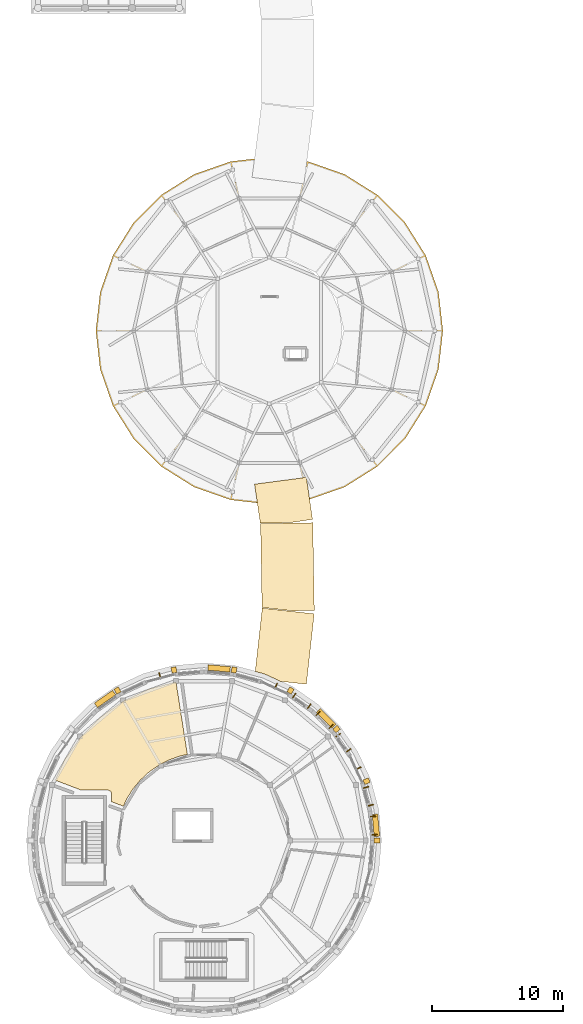
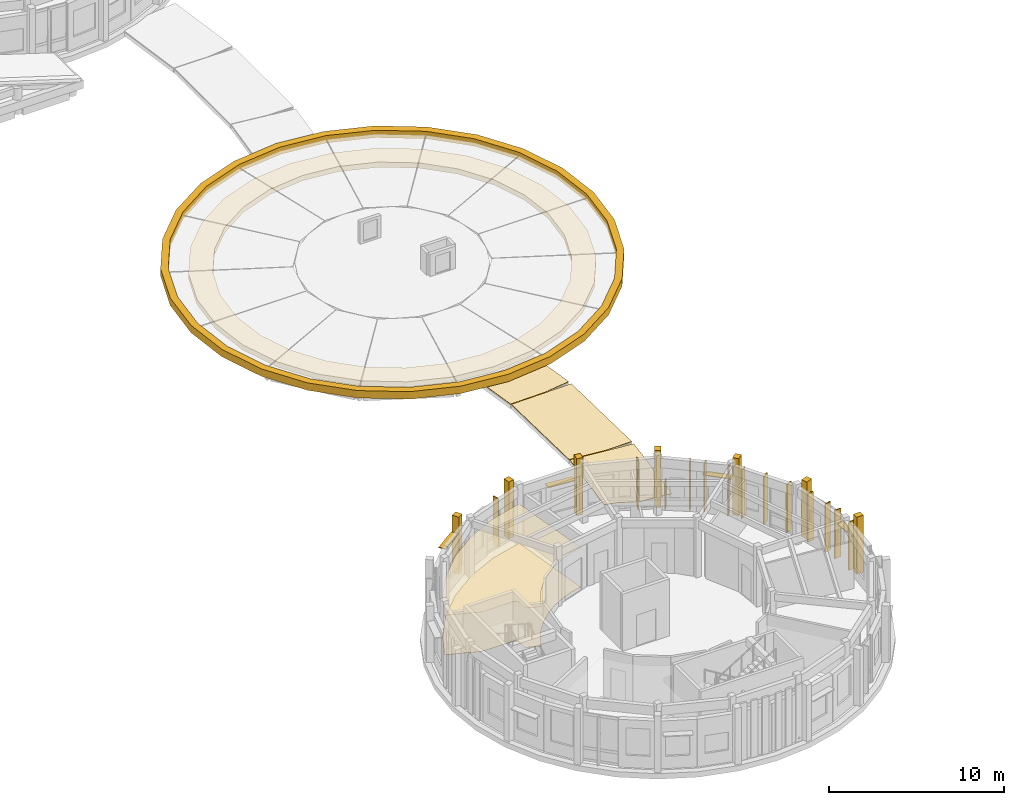
# One storey, part 51 of 58: 17 shading devices, 14 coverings.
"""IFC4 building model written with IfcOpenShell, lengths in metres."""

from ifc_helpers import new_model, si_unit, direction, frame, origin, origin_2d, place, context, subcontext, project, spatial, polyline, rectangle, outline, extrude, material, layer, layer_set, type_object, element, save


model = new_model("IFC4")

# Units and contexts
model_context = context("Model", 3, precision=1e-05, world=origin(), true_north=direction((0.0, 1.0)))
body_context = subcontext(model_context, "Body", "Model", "MODEL_VIEW")
ifc_project = project(units=[si_unit("LENGTHUNIT", "METRE"), si_unit("AREAUNIT", "SQUARE_METRE"), si_unit("VOLUMEUNIT", "CUBIC_METRE"), si_unit("PLANEANGLEUNIT", "RADIAN"), si_unit("MASSUNIT", "GRAM", prefix="KILO")], contexts=[model_context])

# Site, building, storey
site_placement = place(None, origin())
site = spatial("IfcSite", under=ifc_project, at=site_placement, CompositionType="ELEMENT")
building_placement = place(site_placement, origin())
building = spatial("IfcBuilding", under=site, at=building_placement, Name="Aldenvaro Health Centre", CompositionType="ELEMENT")
storey_placement = place(building_placement, frame((0.0, 0.0, 8.75)))
storey = spatial("IfcBuildingStorey", under=building, at=storey_placement, Name="L02", CompositionType="ELEMENT", Elevation=8.75)

# Coverings
ifc_material_1 = material(Name="Antimicrobial Mineral Fibre Ceiling")
ifc_layer_1 = layer(ifc_material_1, 0.01806640625, Name="Antimicrobial Mineral Fibre Ceiling")
ifc_layer_set_1 = layer_set([ifc_layer_1], Name="Antimicrobial Mineral Fibre Ceiling")
covering_type_1 = type_object("IfcCoveringType", Name="COV-CLG-ACT18", PredefinedType="CEILING", material=ifc_layer_set_1)
covering_1_placement = place(storey_placement, frame((0.0, 0.0, 2.75)))
element("IfcCovering", 1, at=covering_1_placement, inside=storey, type_object=covering_type_1, Name="D5-L02-R01 Suspended Ceiling", PredefinedType="CEILING", context=body_context, shape_type="SweptSolid", body=[
    extrude(outline(polyline([(16.35693359375, 30.631103515625), (17.22705078125, 25.076904296875), (16.617919921875, 24.93994140625), (16.587890625, 24.930908203125), (15.791015625, 24.637939453125), (15.761962890625, 24.625), (15.010009765625, 24.23095703125), (14.98291015625, 24.214111328125), (14.2900390625, 23.72412109375), (14.264892578125, 23.7041015625), (13.64208984375, 23.1279296875), (13.6201171875, 23.10498046875), (13.077880859375, 22.451904296875), (13.05908203125, 22.426025390625), (12.60693359375, 21.7080078125), (12.592041015625, 21.679931640625), (12.3310546875, 21.112060546875), (11.43994140625, 21.452880859375), (11.43994140625, 22.02001953125), (11.43994140625, 22.031982421875), (11.43896484375, 22.0400390625), (11.43701171875, 22.06298828125), (11.43603515625, 22.071044921875), (11.430908203125, 22.093994140625), (11.428955078125, 22.10205078125), (11.423095703125, 22.1240234375), (11.419921875, 22.131103515625), (11.410888671875, 22.153076171875), (11.407958984375, 22.159912109375), (11.39599609375, 22.180908203125), (11.39208984375, 22.18798828125), (11.37890625, 22.20703125), (11.375, 22.214111328125), (11.360107421875, 22.23193359375), (11.35400390625, 22.238037109375), (11.337890625, 22.25390625), (11.33203125, 22.260009765625), (11.31396484375, 22.27490234375), (11.306884765625, 22.279052734375), (11.2880859375, 22.2919921875), (11.281005859375, 22.2958984375), (11.260009765625, 22.30810546875), (11.2529296875, 22.31103515625), (11.23095703125, 22.320068359375), (11.22412109375, 22.322998046875), (11.201904296875, 22.3291015625), (11.194091796875, 22.3310546875), (11.1708984375, 22.3359375), (11.1630859375, 22.3369140625), (11.139892578125, 22.339111328125), (11.132080078125, 22.340087890625), (11.1201171875, 22.340087890625), (9.116943359375, 22.340087890625), (7.10791015625, 23.10693359375), (7.8310546875, 24.658935546875), (9.06298828125, 26.4189453125), (10.5810546875, 27.93701171875), (12.341064453125, 29.1689453125), (14.287109375, 30.075927734375), (16.35693359375, 30.631103515625)])), origin(), (0.0, 0.0, 1.0), 0.01806640625),
])
ifc_material_2 = material(Name="Honed Sonoran Buff Limestone", Category="masonry")
ifc_layer_2 = layer(ifc_material_2, 0.280029296875, Name="Honed Sonoran Buff Limestone", Category="masonry")
ifc_layer_set_2 = layer_set([ifc_layer_2], Name="Honed Sonoran Buff Limestone")
covering_type_2 = type_object("IfcCoveringType", Name="COV-CRN-STN", PredefinedType="CLADDING", material=ifc_layer_set_2)
covering_2_placement = place(storey_placement, frame((0.0, 0.0, 0.260009765625)))
element("IfcCovering", 2, at=covering_2_placement, inside=storey, type_object=covering_type_2, Name="D3 Classical Roof Entablature Frieze 1", PredefinedType="CLADDING", context=body_context, shape_type="SweptSolid", body=[
    extrude(outline(polyline([(35.179931640625, 57.5), (34.886962890625, 60.09912109375), (34.02294921875, 62.568115234375), (32.632080078125, 64.781982421875), (30.781982421875, 66.632080078125), (28.568115234375, 68.02294921875), (26.09912109375, 68.886962890625), (23.5, 69.179931640625), (20.90087890625, 68.886962890625), (18.431884765625, 68.02294921875), (16.218017578125, 66.632080078125), (14.367919921875, 64.781982421875), (12.97705078125, 62.568115234375), (12.113037109375, 60.09912109375), (11.820068359375, 57.5), (12.113037109375, 54.90087890625), (12.97705078125, 52.431884765625), (14.367919921875, 50.218017578125), (16.218017578125, 48.367919921875), (18.431884765625, 46.97705078125), (20.90087890625, 46.113037109375), (23.5, 45.820068359375), (26.09912109375, 46.113037109375), (28.568115234375, 46.97705078125), (30.781982421875, 48.367919921875), (32.632080078125, 50.218017578125), (34.02294921875, 52.431884765625), (34.886962890625, 54.90087890625), (35.179931640625, 57.5)]), holes=[polyline([(33.780029296875, 57.5), (33.52197265625, 55.2119140625), (32.761962890625, 53.0400390625), (31.537109375, 51.091064453125), (29.908935546875, 49.462890625), (27.9599609375, 48.238037109375), (25.7880859375, 47.47802734375), (23.5, 47.219970703125), (21.2119140625, 47.47802734375), (19.0400390625, 48.238037109375), (17.091064453125, 49.462890625), (15.462890625, 51.091064453125), (14.238037109375, 53.0400390625), (13.47802734375, 55.2119140625), (13.219970703125, 57.5), (13.47802734375, 59.7880859375), (14.238037109375, 61.9599609375), (15.462890625, 63.908935546875), (17.091064453125, 65.537109375), (19.0400390625, 66.761962890625), (21.2119140625, 67.52197265625), (23.5, 67.780029296875), (25.7880859375, 67.52197265625), (27.9599609375, 66.761962890625), (29.908935546875, 65.537109375), (31.537109375, 63.908935546875), (32.761962890625, 61.9599609375), (33.52197265625, 59.7880859375), (33.780029296875, 57.5)])]), origin(), (0.0, 0.0, 1.0), 0.364990234375),
])
for number, where, z_axis, x_axis, name in (
    (3, (31.739990234375, 18.5, 0.00048828125), (0.0, 0.0, 1.0), (1.0, 0.0, 0.0), "D5 L02 Engaged Classical Limestone Pilaster 01"),
    (4, (11.8798828125, 29.966064453125, 0.00048828125), (0.0, 0.0, 1.0), (-0.499990860177, 0.8660306806, 0.0), "D5 L02 Engaged Classical Limestone Pilaster 13"),
    (5, (16.200927734375, 31.5390625, 0.00048828125), (0.0, 0.0, 1.0), (-0.173643819888, 0.984808521396, 0.0), "D5 L02 Engaged Classical Limestone Pilaster 14"),
    (6, (20.799072265625, 31.5390625, 0.00048828125), (0.0, 0.0, 1.0), (0.173643819888, 0.984808521396, 0.0), "D5 L02 Engaged Classical Limestone Pilaster 15"),
    (7, (25.1201171875, 29.966064453125, 0.00048828125), (0.0, 0.0, 1.0), (0.499990860177, 0.8660306806, 0.0), "D5 L02 Engaged Classical Limestone Pilaster 16"),
    (8, (28.64208984375, 27.010986328125, 0.00048828125), (0.0, 0.0, 1.0), (0.76604377724, 0.642788403249, 0.0), "D5 L02 Engaged Classical Limestone Pilaster 17"),
    (9, (30.94189453125, 23.028076171875, 0.00048828125), (0.0, 0.0, 1.0), (0.939693796234, 0.34201691379, 0.0), "D5 L02 Engaged Classical Limestone Pilaster 18"),
):
    element("IfcCovering", number, at=place(storey_placement, frame(where, z_axis=z_axis, x_axis=x_axis)), inside=storey, type_object=covering_type_2, Name=name, PredefinedType="CLADDING", context=body_context, shape_type="SweptSolid", body=[
        extrude(rectangle(XDim=0.43994140625, YDim=0.3798828125, at=origin_2d()), origin(), (0.0, 0.0, 1.0), 3.97509765625),
    ])
covering_3_placement = place(storey_placement, frame((0.0, 0.0, 0.5400390625)))
element("IfcCovering", 10, at=covering_3_placement, inside=storey, type_object=covering_type_2, Name="D3 Classical Overhanging Corona and Attic Ring", PredefinedType="CLADDING", context=body_context, shape_type="SweptSolid", body=[
    extrude(outline(polyline([(36.780029296875, 57.5), (36.447021484375, 60.455078125), (35.465087890625, 63.261962890625), (33.883056640625, 65.780029296875), (31.780029296875, 67.883056640625), (29.261962890625, 69.465087890625), (26.455078125, 70.447021484375), (23.5, 70.780029296875), (20.544921875, 70.447021484375), (17.738037109375, 69.465087890625), (15.219970703125, 67.883056640625), (13.116943359375, 65.780029296875), (11.534912109375, 63.261962890625), (10.552978515625, 60.455078125), (10.219970703125, 57.5), (10.552978515625, 54.544921875), (11.534912109375, 51.738037109375), (13.116943359375, 49.219970703125), (15.219970703125, 47.116943359375), (17.738037109375, 45.534912109375), (20.544921875, 44.552978515625), (23.5, 44.219970703125), (26.455078125, 44.552978515625), (29.261962890625, 45.534912109375), (31.780029296875, 47.116943359375), (33.883056640625, 49.219970703125), (35.465087890625, 51.738037109375), (36.447021484375, 54.544921875), (36.780029296875, 57.5)]), holes=[polyline([(36.340087890625, 57.5), (36.01806640625, 54.64306640625), (35.068115234375, 51.928955078125), (33.5390625, 49.493896484375), (31.506103515625, 47.4609375), (29.071044921875, 45.931884765625), (26.35693359375, 44.98193359375), (23.5, 44.659912109375), (20.64306640625, 44.98193359375), (17.928955078125, 45.931884765625), (15.493896484375, 47.4609375), (13.4609375, 49.493896484375), (11.931884765625, 51.928955078125), (10.98193359375, 54.64306640625), (10.659912109375, 57.5), (10.98193359375, 60.35693359375), (11.931884765625, 63.071044921875), (13.4609375, 65.506103515625), (15.493896484375, 67.5390625), (17.928955078125, 69.068115234375), (20.64306640625, 70.01806640625), (23.5, 70.340087890625), (26.35693359375, 70.01806640625), (29.071044921875, 69.068115234375), (31.506103515625, 67.5390625), (33.5390625, 65.506103515625), (35.068115234375, 63.071044921875), (36.01806640625, 60.35693359375), (36.340087890625, 57.5)])]), origin(), (0.0, 0.0, 1.0), 0.514892578125),
])
ifc_material_3 = material(Name="Seamless Homogeneous Sheet Vinyl")
ifc_layer_3 = layer(ifc_material_3, 0.013916015625, Name="Seamless Homogeneous Sheet Vinyl")
ifc_layer_set_3 = layer_set([ifc_layer_3], Name="Seamless Homogeneous Sheet Vinyl")
covering_type_3 = type_object("IfcCoveringType", Name="COV-FLR-VNL14", PredefinedType="FLOORING", material=ifc_layer_set_3)
covering_4_placement = place(storey_placement, origin())
element("IfcCovering", 11, at=covering_4_placement, inside=storey, type_object=covering_type_3, Name="D5-L02-R01 Flooring", PredefinedType="FLOORING", context=body_context, shape_type="SweptSolid", body=[
    extrude(outline(polyline([(16.35693359375, 30.631103515625), (17.22705078125, 25.076904296875), (16.617919921875, 24.93994140625), (16.587890625, 24.930908203125), (15.791015625, 24.637939453125), (15.761962890625, 24.625), (15.010009765625, 24.23095703125), (14.98291015625, 24.214111328125), (14.2900390625, 23.72412109375), (14.264892578125, 23.7041015625), (13.64208984375, 23.1279296875), (13.6201171875, 23.10498046875), (13.077880859375, 22.451904296875), (13.05908203125, 22.426025390625), (12.60693359375, 21.7080078125), (12.592041015625, 21.679931640625), (12.3310546875, 21.112060546875), (11.43994140625, 21.452880859375), (11.43994140625, 22.02001953125), (11.43994140625, 22.031982421875), (11.43896484375, 22.0400390625), (11.43701171875, 22.06298828125), (11.43603515625, 22.071044921875), (11.430908203125, 22.093994140625), (11.428955078125, 22.10205078125), (11.423095703125, 22.1240234375), (11.419921875, 22.131103515625), (11.410888671875, 22.153076171875), (11.407958984375, 22.159912109375), (11.39599609375, 22.180908203125), (11.39208984375, 22.18798828125), (11.37890625, 22.20703125), (11.375, 22.214111328125), (11.360107421875, 22.23193359375), (11.35400390625, 22.238037109375), (11.337890625, 22.25390625), (11.33203125, 22.260009765625), (11.31396484375, 22.27490234375), (11.306884765625, 22.279052734375), (11.2880859375, 22.2919921875), (11.281005859375, 22.2958984375), (11.260009765625, 22.30810546875), (11.2529296875, 22.31103515625), (11.23095703125, 22.320068359375), (11.22412109375, 22.322998046875), (11.201904296875, 22.3291015625), (11.194091796875, 22.3310546875), (11.1708984375, 22.3359375), (11.1630859375, 22.3369140625), (11.139892578125, 22.339111328125), (11.132080078125, 22.340087890625), (11.1201171875, 22.340087890625), (9.116943359375, 22.340087890625), (7.10791015625, 23.10693359375), (7.8310546875, 24.658935546875), (9.06298828125, 26.4189453125), (10.5810546875, 27.93701171875), (12.341064453125, 29.1689453125), (14.287109375, 30.075927734375), (16.35693359375, 30.631103515625)])), origin(), (0.0, 0.0, 1.0), 0.013916015625),
])
ifc_material_4 = material(Name="TPO Reflective Cool Roof Membrane")
ifc_layer_4 = layer(ifc_material_4, 0.030029296875, Name="TPO Reflective Cool Roof Membrane")
ifc_layer_set_4 = layer_set([ifc_layer_4], Name="TPO Reflective Cool Roof Membrane")
covering_type_4 = type_object("IfcCoveringType", Name="COV-RF-MEM", PredefinedType="ROOFING", material=ifc_layer_set_4)
covering_5_placement = place(storey_placement, frame((0.0, 0.0, 0.06005859375)))
element("IfcCovering", 12, at=covering_5_placement, inside=storey, type_object=covering_type_4, Name="West South Curved Garden Walkway Arc 1 flat roof Cool Limestone Ballast Membrane", PredefinedType="ROOFING", context=body_context, shape_type="SweptSolid", body=[
    extrude(outline(polyline([(22.955078125, 36.278076171875), (26.930908203125, 35.8359375), (26.3330078125, 30.447998046875), (24.344970703125, 30.6689453125), (23.134033203125, 31.23291015625), (22.416015625, 31.425048828125), (22.955078125, 36.278076171875)])), origin(), (0.0, 0.0, 1.0), 0.030029296875),
])
covering_6_placement = place(storey_placement, frame((0.0, 0.0, 0.06005859375)))
element("IfcCovering", 13, at=covering_6_placement, inside=storey, type_object=covering_type_4, Name="West South Curved Garden Walkway Arc 2 flat roof Cool Limestone Ballast Membrane", PredefinedType="ROOFING", context=body_context, shape_type="SweptSolid", body=[
    extrude(outline(polyline([(22.825927734375, 42.736083984375), (26.825927734375, 42.805908203125), (26.943115234375, 36.092041015625), (25.256103515625, 36.06201171875), (22.93798828125, 36.320068359375), (22.825927734375, 42.736083984375)])), origin(), (0.0, 0.0, 1.0), 0.030029296875),
])
covering_7_placement = place(storey_placement, frame((0.0, 0.0, 0.06005859375)))
element("IfcCovering", 14, at=covering_7_placement, inside=storey, type_object=covering_type_4, Name="West South Curved Garden Walkway Arc 3 flat roof Cool Limestone Ballast Membrane", PredefinedType="ROOFING", context=body_context, shape_type="SweptSolid", body=[
    extrude(outline(polyline([(26.804931640625, 43.06103515625), (25.135986328125, 42.81591796875), (22.803955078125, 42.77587890625), (22.367919921875, 45.756103515625), (26.070068359375, 46.239990234375), (26.325927734375, 46.330078125), (26.804931640625, 43.06103515625)])), origin(), (0.0, 0.0, 1.0), 0.030029296875),
])

# Shading devices
ifc_material_5 = material(Name="Douglas Fir Exterior Glulam GL28h", Category="wood")
shading_device_type_1 = type_object("IfcShadingDeviceType", Name="SHD-FIN-190", PredefinedType="USERDEFINED", material=ifc_material_5)
shading_device_1_placement = place(storey_placement, frame((25.39404296875, 29.573974609375, -0.02001953125), z_axis=(0.0, 0.0, 1.0), x_axis=(0.819106553991, -0.573641397746, 0.0)))
element("IfcShadingDevice", 15, at=shading_device_1_placement, inside=storey, type_object=shading_device_type_1, Name="D5 L02 Douglas fir fin 31.1", ObjectType="FIN", PredefinedType="USERDEFINED", context=body_context, shape_type="SweptSolid", body=[
    extrude(rectangle(XDim=0.06494140625, YDim=0.419921875, at=origin_2d()), origin(), (0.0, 0.0, 1.0), 1.89990234375),
])
shading_device_type_2 = type_object("IfcShadingDeviceType", Name="SHD-FIN-340", PredefinedType="USERDEFINED", material=ifc_material_5)
for number, where, z_axis, x_axis, name in (
    (16, (30.89990234375, 22.552001953125, -0.01953125), (0.0, 0.0, 1.0), (0.258825000966, -0.9659242304, 0.0), "D5 L02 Douglas fir fin 35.1"),
    (17, (31.263916015625, 21.19091796875, -0.01953125), (0.0, 0.0, 1.0), (0.258825000966, -0.9659242304, 0.0), "D5 L02 Douglas fir fin 35.3"),
):
    element("IfcShadingDevice", number, at=place(storey_placement, frame(where, z_axis=z_axis, x_axis=x_axis)), inside=storey, type_object=shading_device_type_2, Name=name, ObjectType="FIN", PredefinedType="USERDEFINED", context=body_context, shape_type="SweptSolid", body=[
        extrude(rectangle(XDim=0.074951171875, YDim=0.419921875, at=origin_2d()), origin(), (0.0, 0.0, 1.0), 3.368896484375),
    ])
shading_device_type_3 = type_object("IfcShadingDeviceType", Name="SHD-FIN-380", PredefinedType="USERDEFINED", material=ifc_material_5)
shading_device_2_placement = place(storey_placement, frame((30.3369140625, 24.02001953125, -0.01953125), z_axis=(0.0, 0.0, 1.0), x_axis=(0.422495879545, -0.906364844733, 0.0)))
element("IfcShadingDevice", 18, at=shading_device_2_placement, inside=storey, type_object=shading_device_type_3, Name="D5 L02 vertical timber fin 34.0", ObjectType="FIN", PredefinedType="USERDEFINED", context=body_context, shape_type="SweptSolid", body=[
    extrude(rectangle(XDim=0.074951171875, YDim=0.419921875, at=origin_2d()), origin(), (0.0, 0.0, 1.0), 3.368896484375),
])
shading_device_type_4 = type_object("IfcShadingDeviceType", Name="SHD-FIN-400", PredefinedType="USERDEFINED", material=ifc_material_5)
for number, where, z_axis, x_axis, name in (
    (19, (28.76611328125, 26.548095703125, -0.01953125), (0.0, 0.0, 1.0), (0.573641397746, -0.819106553991, 0.0), "D5 L02 Douglas fir fin 33.1"),
    (20, (29.573974609375, 25.39404296875, -0.01953125), (0.0, 0.0, 1.0), (0.573641397746, -0.819106553991, 0.0), "D5 L02 Douglas fir fin 33.3"),
):
    element("IfcShadingDevice", number, at=place(storey_placement, frame(where, z_axis=z_axis, x_axis=x_axis)), inside=storey, type_object=shading_device_type_4, Name=name, ObjectType="FIN", PredefinedType="USERDEFINED", context=body_context, shape_type="SweptSolid", body=[
        extrude(rectangle(XDim=0.06494140625, YDim=0.419921875, at=origin_2d()), origin(), (0.0, 0.0, 1.0), 3.368896484375),
    ])
shading_device_type_5 = type_object("IfcShadingDeviceType", Name="SHD-FIN-420", PredefinedType="USERDEFINED", material=ifc_material_5)
for number, where, z_axis, x_axis, name in (
    (21, (15.1201171875, 31.115966796875, -0.01953125), (0.0, 0.0, 1.0), (0.9659242304, 0.258825000966, 0.0), "D5 L02 vertical timber fin 26.0"),
    (22, (27.212890625, 28.208984375, -0.01953125), (0.0, 0.0, 1.0), (0.707106781187, -0.707106781187, 0.0), "D5 L02 Douglas fir fin 32.1"),
    (23, (28.208984375, 27.212890625, -0.01953125), (0.0, 0.0, 1.0), (0.707106781187, -0.707106781187, 0.0), "D5 L02 Douglas fir fin 32.3"),
):
    element("IfcShadingDevice", number, at=place(storey_placement, frame(where, z_axis=z_axis, x_axis=x_axis)), inside=storey, type_object=shading_device_type_5, Name=name, ObjectType="FIN", PredefinedType="USERDEFINED", context=body_context, shape_type="SweptSolid", body=[
        extrude(rectangle(XDim=0.06494140625, YDim=0.419921875, at=origin_2d()), origin(), (0.0, 0.0, 1.0), 3.368896484375),
    ])
shading_device_type_6 = type_object("IfcShadingDeviceType", Name="SHD-FIN-435", PredefinedType="USERDEFINED", material=ifc_material_5)
shading_device_3_placement = place(storey_placement, frame((26.548095703125, 28.76611328125, -0.01953125), z_axis=(0.0, 0.0, 1.0), x_axis=(0.819106553991, -0.573641397746, 0.0)))
element("IfcShadingDevice", 24, at=shading_device_3_placement, inside=storey, type_object=shading_device_type_6, Name="D5 L02 Douglas fir fin 31.3", ObjectType="FIN", PredefinedType="USERDEFINED", context=body_context, shape_type="SweptSolid", body=[
    extrude(rectangle(XDim=0.06494140625, YDim=0.419921875, at=origin_2d()), origin(), (0.0, 0.0, 1.0), 3.368896484375),
])
shading_device_type_7 = type_object("IfcShadingDeviceType", Name="SHD-FIN-455", PredefinedType="USERDEFINED", material=ifc_material_5)
for number, where, z_axis, x_axis, name in (
    (25, (24.02001953125, 30.3369140625, -0.01953125), (0.0, 0.0, 1.0), (0.906364844733, -0.422495879545, 0.0), "D5 L02 vertical timber fin 30.0"),
    (26, (31.4150390625, 20.3369140625, -0.01953125), (0.0, 0.0, 1.0), (0.087166950289, -0.996193717495, 0.0), "D5 L02 Douglas fir fin 36.1"),
    (27, (31.5380859375, 18.93408203125, -0.01953125), (0.0, 0.0, 1.0), (0.087166950289, -0.996193717495, 0.0), "D5 L02 Douglas fir fin 36.3"),
):
    element("IfcShadingDevice", number, at=place(storey_placement, frame(where, z_axis=z_axis, x_axis=x_axis)), inside=storey, type_object=shading_device_type_7, Name=name, ObjectType="FIN", PredefinedType="USERDEFINED", context=body_context, shape_type="SweptSolid", body=[
        extrude(rectangle(XDim=0.06494140625, YDim=0.419921875, at=origin_2d()), origin(), (0.0, 0.0, 1.0), 3.368896484375),
    ])
shading_device_type_8 = type_object("IfcShadingDeviceType", Name="SHD-LVR-170", PredefinedType="JALOUSIE", material=ifc_material_5)
for number, where, z_axis, x_axis, name in (
    (28, (10.925048828125, 29.318115234375, 2.849853515625), (0.0, 0.0, 1.0), (0.819106553991, 0.573641397746, 0.0), "D5 L02 horizontal solar louvre 24"),
    (29, (19.65087890625, 31.656005859375, 2.449951171875), (0.0, 0.0, 1.0), (0.996193717495, -0.087166950289, 0.0), "D5 L02 horizontal solar louvre 28"),
    (30, (27.837890625, 27.837890625, 2.39990234375), (0.0, 0.0, 1.0), (0.707106781187, -0.707106781187, 0.0), "D5 L02 horizontal solar louvre 32"),
    (31, (31.656005859375, 19.65087890625, 2.300048828125), (0.0, 0.0, 1.0), (0.087166950289, -0.996193717495, 0.0), "D5 L02 horizontal solar louvre 36"),
):
    element("IfcShadingDevice", number, at=place(storey_placement, frame(where, z_axis=z_axis, x_axis=x_axis)), inside=storey, type_object=shading_device_type_8, Name=name, PredefinedType="JALOUSIE", context=body_context, shape_type="SweptSolid", body=[
        extrude(rectangle(XDim=1.699951171875, YDim=0.419921875, at=origin_2d()), origin(), (0.0, 0.0, 1.0), 0.06005859375),
    ])

save(model, "model.ifc")
